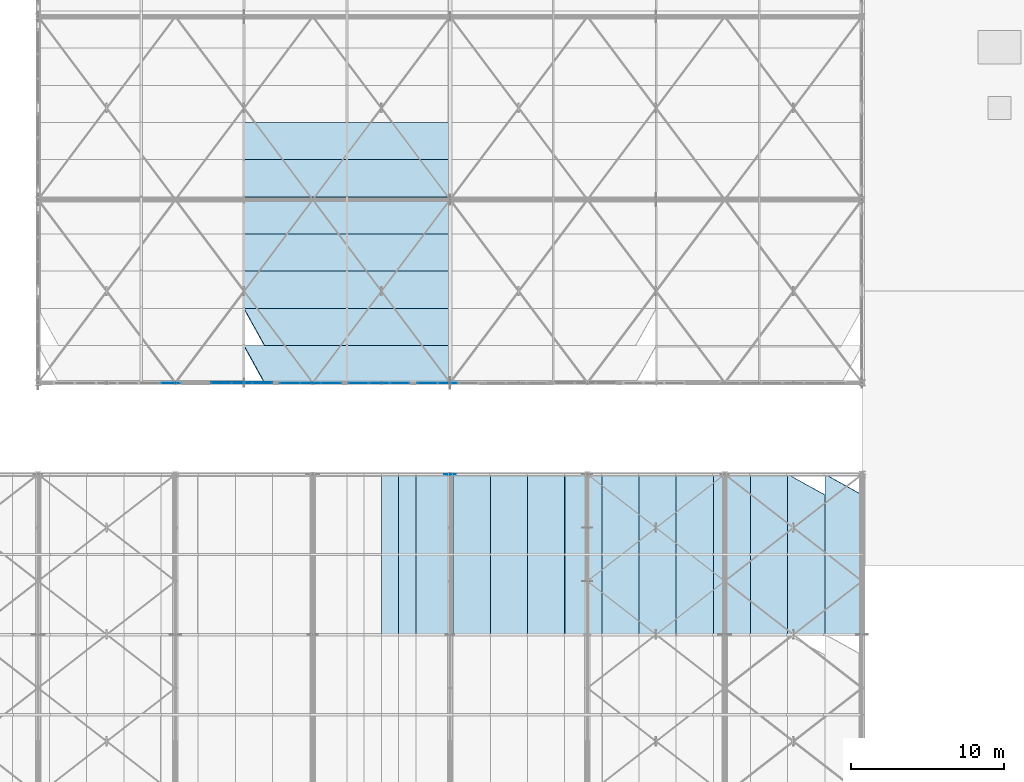
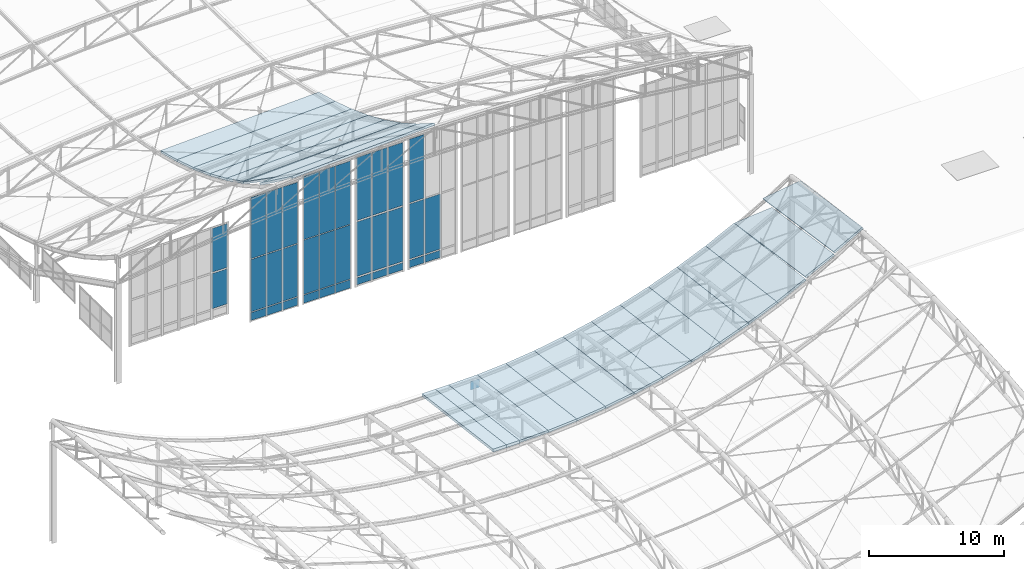
# One storey, part 220 of 262: 35 plates, 21 slabs, 5 elements without a shape of their own.
"""IFC4 building model written with IfcOpenShell, lengths in metres."""

from ifc_helpers import new_model, si_unit, derived_unit, direction, frame, origin, origin_2d, place, context, subcontext, project, spatial, polyline, rectangle, outline, extrude, material, layer, layer_set, type_object, element, aggregate, save


model = new_model("IFC4")

# Units and contexts
model_context = context("Model", 3, precision=1e-05, world=origin(), true_north=direction((0.0, 1.0)))
body_context = subcontext(model_context, "Body", "Model", "MODEL_VIEW")
ifc_project = project(units=[si_unit("LENGTHUNIT", "METRE"), si_unit("AREAUNIT", "SQUARE_METRE"), si_unit("VOLUMEUNIT", "CUBIC_METRE"), si_unit("PLANEANGLEUNIT", "RADIAN"), si_unit("MASSUNIT", "GRAM", prefix="KILO"), derived_unit("THERMALTRANSMITTANCEUNIT", [(si_unit("POWERUNIT", "WATT"), 1), (si_unit("LENGTHUNIT", "METRE"), -2), (si_unit("THERMODYNAMICTEMPERATUREUNIT", "KELVIN"), -1)])], contexts=[model_context])

# Site, building, storey
site_placement = place(None, origin())
site = spatial("IfcSite", under=ifc_project, at=site_placement, CompositionType="ELEMENT")
building_placement = place(site_placement, origin())
building = spatial("IfcBuilding", under=site, at=building_placement, Name="Almenara Railside Exhibition Hall", CompositionType="ELEMENT")
storey_placement = place(building_placement, frame((0.0, 0.0, 21.699951171875)))
storey = spatial("IfcBuildingStorey", under=building, at=storey_placement, Name="RF", CompositionType="ELEMENT", Elevation=21.699951171875)

# Curtain wall, plates
ifc_material_1 = material(Name="Bronze-anodised aluminium and low-E double glazing", Category="aluminium")
ifc_layer_1 = layer(ifc_material_1, 0.179931640625, Name="Bronze-anodised aluminium and low-E double glazing")
ifc_layer_set_1 = layer_set([ifc_layer_1], Name="Bronze-anodised aluminium and low-E double glazing")
curtain_wall_type = type_object("IfcCurtainWallType", Name="Scroll Gable Tall Curtain Wall 3800x5400", PredefinedType="NOTDEFINED", material=ifc_layer_set_1)
curtain_wall_1_placement = place(storey_placement, origin())
curtain_wall_1 = element("IfcCurtainWall", 1, at=curtain_wall_1_placement, inside=storey, type_object=curtain_wall_type, Name="Curtain wall CW-G1-200", PredefinedType="NOTDEFINED")
ifc_material_2 = material(Name="Solar-control acoustic laminated glazing", Category="glass")
ifc_layer_2 = layer(ifc_material_2, 0.031982421875, Name="Solar-control acoustic laminated glazing")
ifc_layer_set_2 = layer_set([ifc_layer_2], Name="Solar-control acoustic laminated glazing")
plate_type_1 = type_object("IfcPlateType", Name="Acoustic Low-E Double Glazing Panel 32mm", PredefinedType="CURTAIN_PANEL", material=ifc_layer_set_2)
plate_1_placement = place(storey_placement, frame((33.000732421875, 48.0, -0.756103515625), z_axis=(0.0, 0.0, 1.0), x_axis=(1.0, 0.0, 0.0)))
plate_1 = element("IfcPlate", 2, at=plate_1_placement, type_object=plate_type_1, Name="CW-G1-200 panel 1.1", PredefinedType="CURTAIN_PANEL", context=body_context, shape_type="SweptSolid", body=[
    extrude(rectangle(XDim=1.277587890625, YDim=0.031982421875, at=origin_2d()), origin(), (0.0, 0.0, 1.0), 0.64208984375),
])
plate_2_placement = place(storey_placement, frame((33.000732421875, 48.0, 0.013916015625), z_axis=(0.0, 0.0, 1.0), x_axis=(1.0, 0.0, 0.0)))
plate_2 = element("IfcPlate", 3, at=plate_2_placement, type_object=plate_type_1, Name="CW-G1-200 panel 1.2", PredefinedType="CURTAIN_PANEL", context=body_context, shape_type="SweptSolid", body=[
    extrude(rectangle(XDim=1.277587890625, YDim=0.031982421875, at=origin_2d()), origin(), (0.0, 0.0, 1.0), 4.912109375),
])
plate_3_placement = place(storey_placement, frame((33.000732421875, 48.0, 5.05419921875), z_axis=(0.0, 0.0, 1.0), x_axis=(1.0, 0.0, 0.0)))
plate_3 = element("IfcPlate", 4, at=plate_3_placement, type_object=plate_type_1, Name="CW-G1-200 panel 1.3", PredefinedType="CURTAIN_PANEL", context=body_context, shape_type="SweptSolid", body=[
    extrude(rectangle(XDim=1.277587890625, YDim=0.031982421875, at=origin_2d()), origin(), (0.0, 0.0, 1.0), 5.681884765625),
])
plate_4_placement = place(storey_placement, frame((34.35009765625, 48.0, -0.756103515625), z_axis=(0.0, 0.0, 1.0), x_axis=(1.0, 0.0, 0.0)))
plate_4 = element("IfcPlate", 5, at=plate_4_placement, type_object=plate_type_1, Name="CW-G1-200 panel 2.1", PredefinedType="CURTAIN_PANEL", context=body_context, shape_type="SweptSolid", body=[
    extrude(rectangle(XDim=1.312744140625, YDim=0.031982421875, at=origin_2d()), origin(), (0.0, 0.0, 1.0), 0.64208984375),
])
plate_5_placement = place(storey_placement, frame((34.35009765625, 48.0, 0.013916015625), z_axis=(0.0, 0.0, 1.0), x_axis=(1.0, 0.0, 0.0)))
plate_5 = element("IfcPlate", 6, at=plate_5_placement, type_object=plate_type_1, Name="CW-G1-200 panel 2.2", PredefinedType="CURTAIN_PANEL", context=body_context, shape_type="SweptSolid", body=[
    extrude(rectangle(XDim=1.312744140625, YDim=0.031982421875, at=origin_2d()), origin(), (0.0, 0.0, 1.0), 4.912109375),
])
plate_6_placement = place(storey_placement, frame((34.35009765625, 48.0, 5.05419921875), z_axis=(0.0, 0.0, 1.0), x_axis=(1.0, 0.0, 0.0)))
plate_6 = element("IfcPlate", 7, at=plate_6_placement, type_object=plate_type_1, Name="CW-G1-200 panel 2.3", PredefinedType="CURTAIN_PANEL", context=body_context, shape_type="SweptSolid", body=[
    extrude(rectangle(XDim=1.312744140625, YDim=0.031982421875, at=origin_2d()), origin(), (0.0, 0.0, 1.0), 5.681884765625),
])
plate_7_placement = place(storey_placement, frame((35.69921875, 48.0, -0.756103515625), z_axis=(0.0, 0.0, 1.0), x_axis=(1.0, 0.0, 0.0)))
plate_7 = element("IfcPlate", 8, at=plate_7_placement, type_object=plate_type_1, Name="CW-G1-200 panel 3.1", PredefinedType="CURTAIN_PANEL", context=body_context, shape_type="SweptSolid", body=[
    extrude(rectangle(XDim=1.277587890625, YDim=0.031982421875, at=origin_2d()), origin(), (0.0, 0.0, 1.0), 0.64208984375),
])
plate_8_placement = place(storey_placement, frame((35.69921875, 48.0, 0.013916015625), z_axis=(0.0, 0.0, 1.0), x_axis=(1.0, 0.0, 0.0)))
plate_8 = element("IfcPlate", 9, at=plate_8_placement, type_object=plate_type_1, Name="CW-G1-200 panel 3.2", PredefinedType="CURTAIN_PANEL", context=body_context, shape_type="SweptSolid", body=[
    extrude(rectangle(XDim=1.277587890625, YDim=0.031982421875, at=origin_2d()), origin(), (0.0, 0.0, 1.0), 4.912109375),
])
plate_9_placement = place(storey_placement, frame((35.69921875, 48.0, 5.05419921875), z_axis=(0.0, 0.0, 1.0), x_axis=(1.0, 0.0, 0.0)))
plate_9 = element("IfcPlate", 10, at=plate_9_placement, type_object=plate_type_1, Name="CW-G1-200 panel 3.3", PredefinedType="CURTAIN_PANEL", context=body_context, shape_type="SweptSolid", body=[
    extrude(rectangle(XDim=1.277587890625, YDim=0.031982421875, at=origin_2d()), origin(), (0.0, 0.0, 1.0), 5.681884765625),
])
aggregate(curtain_wall_1, [plate_1, plate_2, plate_3, plate_4, plate_5, plate_6, plate_7, plate_8, plate_9])

# Slabs
ifc_material_3 = material(Name="Planted green roof insulated steel S355JR deck", Category="steel")
ifc_layer_3 = layer(ifc_material_3, 0.2451171875, Name="Planted green roof insulated steel S355JR deck")
ifc_layer_set_3 = layer_set([ifc_layer_3], Name="Planted green roof insulated steel S355JR deck")
slab_type_1 = type_object("IfcSlabType", Name="Flat Planted Hall Roof Deck 245mm S355JR", PredefinedType="ROOF", material=ifc_layer_set_3)
slab_1_placement = place(storey_placement, frame((34.5, 42.0, -7.659912109375), z_axis=(0.0, 0.127508130523, 0.991837525329), x_axis=(1.0, 0.0, 0.0)))
element("IfcSlab", 11, at=slab_1_placement, inside=storey, type_object=slab_type_1, Name="V4 roof cassette RC-V4-15D", PredefinedType="ROOF", context=body_context, shape_type="SweptSolid", body=[
    extrude(outline(polyline([(0.0, 0.0), (1.1298828125, 0.0), (1.1298828125, -10.586411314210551), (0.0, -10.586411314210551), (0.0, 0.0)])), origin(), (0.0, 0.0, -1.0), 0.2451171875),
])
slab_2_placement = place(storey_placement, frame((35.6298828125, 42.0, -7.659912109375), z_axis=(0.0, 0.127508130523, 0.991837525329), x_axis=(1.0, 0.0, 0.0)))
element("IfcSlab", 12, at=slab_2_placement, inside=storey, type_object=slab_type_1, Name="V4 roof cassette RC-V4-16D", PredefinedType="ROOF", context=body_context, shape_type="SweptSolid", body=[
    extrude(outline(polyline([(0.0, 0.0), (1.129638671875, 0.0), (1.129638671875, -10.586411314210551), (0.0, -10.586411314210551), (0.0, 0.0)])), origin(), (0.0, 0.0, -1.0), 0.2451171875),
])

# Curtain wall, plates
curtain_wall_2_placement = place(storey_placement, origin())
curtain_wall_2 = element("IfcCurtainWall", 13, at=curtain_wall_2_placement, inside=storey, type_object=curtain_wall_type, Name="Curtain wall CW-G1-198", PredefinedType="NOTDEFINED")
ifc_material_4 = material(Name="Bronze-anodised insulated aluminium spandrel", Category="aluminium")
ifc_layer_4 = layer(ifc_material_4, 0.0400390625, Name="Bronze-anodised insulated aluminium spandrel")
ifc_layer_set_4 = layer_set([ifc_layer_4], Name="Bronze-anodised insulated aluminium spandrel")
plate_type_2 = type_object("IfcPlateType", Name="Insulated Bronze Spandrel Panel 40mm", PredefinedType="CURTAIN_PANEL", material=ifc_layer_set_4)
plate_10_placement = place(storey_placement, frame((23.998291015625, 48.0, -0.80615234375), z_axis=(0.0, 0.0, 1.0), x_axis=(1.0, 0.0, 0.0)))
plate_10 = element("IfcPlate", 14, at=plate_10_placement, type_object=plate_type_2, Name="CW-G1-198 panel 1.1", PredefinedType="CURTAIN_PANEL", context=body_context, shape_type="SweptSolid", body=[
    extrude(rectangle(XDim=1.292724609375, YDim=0.0400390625, at=origin_2d()), origin(), (0.0, 0.0, 1.0), 0.717041015625),
])
plate_11_placement = place(storey_placement, frame((23.998291015625, 48.0, -0.0107421875), z_axis=(0.0, 0.0, 1.0), x_axis=(1.0, 0.0, 0.0)))
plate_11 = element("IfcPlate", 15, at=plate_11_placement, type_object=plate_type_2, Name="CW-G1-198 panel 1.2", PredefinedType="CURTAIN_PANEL", context=body_context, shape_type="SweptSolid", body=[
    extrude(rectangle(XDim=1.292724609375, YDim=0.0400390625, at=origin_2d()), origin(), (0.0, 0.0, 1.0), 4.717041015625),
])
plate_12_placement = place(storey_placement, frame((23.998291015625, 48.0, 4.7841796875), z_axis=(0.0, 0.0, 1.0), x_axis=(1.0, 0.0, 0.0)))
plate_12 = element("IfcPlate", 16, at=plate_12_placement, type_object=plate_type_2, Name="CW-G1-198 panel 1.3", PredefinedType="CURTAIN_PANEL", context=body_context, shape_type="SweptSolid", body=[
    extrude(rectangle(XDim=1.292724609375, YDim=0.0400390625, at=origin_2d()), origin(), (0.0, 0.0, 1.0), 5.511962890625),
])
plate_13_placement = place(storey_placement, frame((25.35009765625, 48.0, -0.80615234375), z_axis=(0.0, 0.0, 1.0), x_axis=(1.0, 0.0, 0.0)))
plate_13 = element("IfcPlate", 17, at=plate_13_placement, type_object=plate_type_2, Name="CW-G1-198 panel 2.1", PredefinedType="CURTAIN_PANEL", context=body_context, shape_type="SweptSolid", body=[
    extrude(rectangle(XDim=1.32275390625, YDim=0.0400390625, at=origin_2d()), origin(), (0.0, 0.0, 1.0), 0.717041015625),
])
plate_14_placement = place(storey_placement, frame((25.35009765625, 48.0, -0.0107421875), z_axis=(0.0, 0.0, 1.0), x_axis=(1.0, 0.0, 0.0)))
plate_14 = element("IfcPlate", 18, at=plate_14_placement, type_object=plate_type_2, Name="CW-G1-198 panel 2.2", PredefinedType="CURTAIN_PANEL", context=body_context, shape_type="SweptSolid", body=[
    extrude(rectangle(XDim=1.32275390625, YDim=0.0400390625, at=origin_2d()), origin(), (0.0, 0.0, 1.0), 4.717041015625),
])
plate_15_placement = place(storey_placement, frame((25.35009765625, 48.0, 4.7841796875), z_axis=(0.0, 0.0, 1.0), x_axis=(1.0, 0.0, 0.0)))
plate_15 = element("IfcPlate", 19, at=plate_15_placement, type_object=plate_type_2, Name="CW-G1-198 panel 2.3", PredefinedType="CURTAIN_PANEL", context=body_context, shape_type="SweptSolid", body=[
    extrude(rectangle(XDim=1.32275390625, YDim=0.0400390625, at=origin_2d()), origin(), (0.0, 0.0, 1.0), 5.511962890625),
])
plate_16_placement = place(storey_placement, frame((26.70166015625, 48.0, -0.80615234375), z_axis=(0.0, 0.0, 1.0), x_axis=(1.0, 0.0, 0.0)))
plate_16 = element("IfcPlate", 20, at=plate_16_placement, type_object=plate_type_2, Name="CW-G1-198 panel 3.1", PredefinedType="CURTAIN_PANEL", context=body_context, shape_type="SweptSolid", body=[
    extrude(rectangle(XDim=1.292724609375, YDim=0.0400390625, at=origin_2d()), origin(), (0.0, 0.0, 1.0), 0.717041015625),
])
plate_17_placement = place(storey_placement, frame((26.70166015625, 48.0, -0.0107421875), z_axis=(0.0, 0.0, 1.0), x_axis=(1.0, 0.0, 0.0)))
plate_17 = element("IfcPlate", 21, at=plate_17_placement, type_object=plate_type_2, Name="CW-G1-198 panel 3.2", PredefinedType="CURTAIN_PANEL", context=body_context, shape_type="SweptSolid", body=[
    extrude(rectangle(XDim=1.292724609375, YDim=0.0400390625, at=origin_2d()), origin(), (0.0, 0.0, 1.0), 4.717041015625),
])
plate_18_placement = place(storey_placement, frame((26.70166015625, 48.0, 4.7841796875), z_axis=(0.0, 0.0, 1.0), x_axis=(1.0, 0.0, 0.0)))
plate_18 = element("IfcPlate", 22, at=plate_18_placement, type_object=plate_type_2, Name="CW-G1-198 panel 3.3", PredefinedType="CURTAIN_PANEL", context=body_context, shape_type="SweptSolid", body=[
    extrude(rectangle(XDim=1.292724609375, YDim=0.0400390625, at=origin_2d()), origin(), (0.0, 0.0, 1.0), 5.511962890625),
])
aggregate(curtain_wall_2, [plate_10, plate_11, plate_12, plate_13, plate_14, plate_15, plate_16, plate_17, plate_18])

curtain_wall_3_placement = place(storey_placement, origin())
curtain_wall_3 = element("IfcCurtainWall", 23, at=curtain_wall_3_placement, inside=storey, type_object=curtain_wall_type, Name="Curtain wall CW-G1-199", PredefinedType="NOTDEFINED")
ifc_layer_5 = layer(ifc_material_4, 0.034912109375, Name="Bronze-anodised insulated aluminium spandrel")
ifc_layer_set_5 = layer_set([ifc_layer_5], Name="Bronze-anodised insulated aluminium spandrel")
plate_type_3 = type_object("IfcPlateType", Name="Insulated Stucco-Tone Spandrel Panel 35mm", PredefinedType="CURTAIN_PANEL", material=ifc_layer_set_5)
plate_19_placement = place(storey_placement, frame((28.4970703125, 48.0, -0.825927734375), z_axis=(0.0, 0.0, 1.0), x_axis=(1.0, 0.0, 0.0)))
plate_19 = element("IfcPlate", 24, at=plate_19_placement, type_object=plate_type_3, Name="CW-G1-199 panel 1.1", PredefinedType="CURTAIN_PANEL", context=body_context, shape_type="SweptSolid", body=[
    extrude(rectangle(XDim=1.300048828125, YDim=0.034912109375, at=origin_2d()), origin(), (0.0, 0.0, 1.0), 0.7470703125),
])
plate_20_placement = place(storey_placement, frame((28.4970703125, 48.0, -0.02099609375), z_axis=(0.0, 0.0, 1.0), x_axis=(1.0, 0.0, 0.0)))
plate_20 = element("IfcPlate", 25, at=plate_20_placement, type_object=plate_type_3, Name="CW-G1-199 panel 1.2", PredefinedType="CURTAIN_PANEL", context=body_context, shape_type="SweptSolid", body=[
    extrude(rectangle(XDim=1.300048828125, YDim=0.034912109375, at=origin_2d()), origin(), (0.0, 0.0, 1.0), 4.89208984375),
])
plate_21_placement = place(storey_placement, frame((28.4970703125, 48.0, 4.92919921875), z_axis=(0.0, 0.0, 1.0), x_axis=(1.0, 0.0, 0.0)))
plate_21 = element("IfcPlate", 26, at=plate_21_placement, type_object=plate_type_3, Name="CW-G1-199 panel 1.3", PredefinedType="CURTAIN_PANEL", context=body_context, shape_type="SweptSolid", body=[
    extrude(rectangle(XDim=1.300048828125, YDim=0.034912109375, at=origin_2d()), origin(), (0.0, 0.0, 1.0), 5.697021484375),
])
plate_22_placement = place(storey_placement, frame((29.85009765625, 48.0, -0.825927734375), z_axis=(0.0, 0.0, 1.0), x_axis=(1.0, 0.0, 0.0)))
plate_22 = element("IfcPlate", 27, at=plate_22_placement, type_object=plate_type_3, Name="CW-G1-199 panel 2.1", PredefinedType="CURTAIN_PANEL", context=body_context, shape_type="SweptSolid", body=[
    extrude(rectangle(XDim=1.32763671875, YDim=0.034912109375, at=origin_2d()), origin(), (0.0, 0.0, 1.0), 0.7470703125),
])
plate_23_placement = place(storey_placement, frame((29.85009765625, 48.0, -0.02099609375), z_axis=(0.0, 0.0, 1.0), x_axis=(1.0, 0.0, 0.0)))
plate_23 = element("IfcPlate", 28, at=plate_23_placement, type_object=plate_type_3, Name="CW-G1-199 panel 2.2", PredefinedType="CURTAIN_PANEL", context=body_context, shape_type="SweptSolid", body=[
    extrude(rectangle(XDim=1.32763671875, YDim=0.034912109375, at=origin_2d()), origin(), (0.0, 0.0, 1.0), 4.89208984375),
])
plate_24_placement = place(storey_placement, frame((29.85009765625, 48.0, 4.92919921875), z_axis=(0.0, 0.0, 1.0), x_axis=(1.0, 0.0, 0.0)))
plate_24 = element("IfcPlate", 29, at=plate_24_placement, type_object=plate_type_3, Name="CW-G1-199 panel 2.3", PredefinedType="CURTAIN_PANEL", context=body_context, shape_type="SweptSolid", body=[
    extrude(rectangle(XDim=1.32763671875, YDim=0.034912109375, at=origin_2d()), origin(), (0.0, 0.0, 1.0), 5.697021484375),
])
plate_25_placement = place(storey_placement, frame((31.202880859375, 48.0, -0.825927734375), z_axis=(0.0, 0.0, 1.0), x_axis=(1.0, 0.0, 0.0)))
plate_25 = element("IfcPlate", 30, at=plate_25_placement, type_object=plate_type_3, Name="CW-G1-199 panel 3.1", PredefinedType="CURTAIN_PANEL", context=body_context, shape_type="SweptSolid", body=[
    extrude(rectangle(XDim=1.300048828125, YDim=0.034912109375, at=origin_2d()), origin(), (0.0, 0.0, 1.0), 0.7470703125),
])
plate_26_placement = place(storey_placement, frame((31.202880859375, 48.0, -0.02099609375), z_axis=(0.0, 0.0, 1.0), x_axis=(1.0, 0.0, 0.0)))
plate_26 = element("IfcPlate", 31, at=plate_26_placement, type_object=plate_type_3, Name="CW-G1-199 panel 3.2", PredefinedType="CURTAIN_PANEL", context=body_context, shape_type="SweptSolid", body=[
    extrude(rectangle(XDim=1.300048828125, YDim=0.034912109375, at=origin_2d()), origin(), (0.0, 0.0, 1.0), 4.89208984375),
])
plate_27_placement = place(storey_placement, frame((31.202880859375, 48.0, 4.92919921875), z_axis=(0.0, 0.0, 1.0), x_axis=(1.0, 0.0, 0.0)))
plate_27 = element("IfcPlate", 32, at=plate_27_placement, type_object=plate_type_3, Name="CW-G1-199 panel 3.3", PredefinedType="CURTAIN_PANEL", context=body_context, shape_type="SweptSolid", body=[
    extrude(rectangle(XDim=1.300048828125, YDim=0.034912109375, at=origin_2d()), origin(), (0.0, 0.0, 1.0), 5.697021484375),
])
aggregate(curtain_wall_3, [plate_19, plate_20, plate_21, plate_22, plate_23, plate_24, plate_25, plate_26, plate_27])

curtain_wall_4_placement = place(storey_placement, origin())
curtain_wall_4 = element("IfcCurtainWall", 33, at=curtain_wall_4_placement, inside=storey, type_object=curtain_wall_type, Name="Curtain wall CW-G1-196", PredefinedType="NOTDEFINED")
ifc_material_5 = material(Name="Solar-control low-E laminated double glazing", Category="glass")
ifc_layer_6 = layer(ifc_material_5, 0.028076171875, Name="Solar-control low-E laminated double glazing")
ifc_layer_set_6 = layer_set([ifc_layer_6], Name="Solar-control low-E laminated double glazing")
plate_type_4 = type_object("IfcPlateType", Name="Low-E Solar Control Double Glazing Panel 28mm", PredefinedType="CURTAIN_PANEL", material=ifc_layer_set_6)
plate_28_placement = place(storey_placement, frame((20.6826171875, 48.0, 1.4140625), z_axis=(0.0, 0.0, 1.0), x_axis=(1.0, 0.0, 0.0)))
plate_28 = element("IfcPlate", 34, at=plate_28_placement, type_object=plate_type_4, Name="CW-G1-196 panel 6.2", PredefinedType="CURTAIN_PANEL", context=body_context, shape_type="SweptSolid", body=[
    extrude(rectangle(XDim=1.31103515625, YDim=0.028076171875, at=origin_2d()), origin(), (0.0, 0.0, 1.0), 3.172119140625),
])
plate_29_placement = place(storey_placement, frame((20.6826171875, 48.0, 4.714111328125), z_axis=(0.0, 0.0, 1.0), x_axis=(1.0, 0.0, 0.0)))
plate_29 = element("IfcPlate", 35, at=plate_29_placement, type_object=plate_type_4, Name="CW-G1-196 panel 6.3", PredefinedType="CURTAIN_PANEL", context=body_context, shape_type="SweptSolid", body=[
    extrude(rectangle(XDim=1.31103515625, YDim=0.028076171875, at=origin_2d()), origin(), (0.0, 0.0, 1.0), 3.94189453125),
])
aggregate(curtain_wall_4, [plate_28, plate_29])

curtain_wall_5_placement = place(storey_placement, origin())
curtain_wall_5 = element("IfcCurtainWall", 36, at=curtain_wall_5_placement, inside=storey, type_object=curtain_wall_type, Name="Curtain wall CW-G1-201", PredefinedType="NOTDEFINED")
plate_30_placement = place(storey_placement, frame((37.49951171875, 48.0, -0.77587890625), z_axis=(0.0, 0.0, 1.0), x_axis=(1.0, 0.0, 0.0)))
plate_30 = element("IfcPlate", 37, at=plate_30_placement, type_object=plate_type_4, Name="CW-G1-201 panel 1.1", PredefinedType="CURTAIN_PANEL", context=body_context, shape_type="SweptSolid", body=[
    extrude(rectangle(XDim=1.28515625, YDim=0.028076171875, at=origin_2d()), origin(), (0.0, 0.0, 1.0), 0.672119140625),
])
plate_31_placement = place(storey_placement, frame((37.49951171875, 48.0, 0.00390625), z_axis=(0.0, 0.0, 1.0), x_axis=(1.0, 0.0, 0.0)))
plate_31 = element("IfcPlate", 38, at=plate_31_placement, type_object=plate_type_4, Name="CW-G1-201 panel 1.2", PredefinedType="CURTAIN_PANEL", context=body_context, shape_type="SweptSolid", body=[
    extrude(rectangle(XDim=1.28515625, YDim=0.028076171875, at=origin_2d()), origin(), (0.0, 0.0, 1.0), 4.967041015625),
])
plate_32_placement = place(storey_placement, frame((37.49951171875, 48.0, 5.0791015625), z_axis=(0.0, 0.0, 1.0), x_axis=(1.0, 0.0, 0.0)))
plate_32 = element("IfcPlate", 39, at=plate_32_placement, type_object=plate_type_4, Name="CW-G1-201 panel 1.3", PredefinedType="CURTAIN_PANEL", context=body_context, shape_type="SweptSolid", body=[
    extrude(rectangle(XDim=1.28515625, YDim=0.028076171875, at=origin_2d()), origin(), (0.0, 0.0, 1.0), 5.7470703125),
])
plate_33_placement = place(storey_placement, frame((38.85009765625, 48.0, -0.77587890625), z_axis=(0.0, 0.0, 1.0), x_axis=(1.0, 0.0, 0.0)))
plate_33 = element("IfcPlate", 40, at=plate_33_placement, type_object=plate_type_4, Name="CW-G1-201 panel 2.1", PredefinedType="CURTAIN_PANEL", context=body_context, shape_type="SweptSolid", body=[
    extrude(rectangle(XDim=1.317626953125, YDim=0.028076171875, at=origin_2d()), origin(), (0.0, 0.0, 1.0), 0.672119140625),
])
plate_34_placement = place(storey_placement, frame((38.85009765625, 48.0, 0.00390625), z_axis=(0.0, 0.0, 1.0), x_axis=(1.0, 0.0, 0.0)))
plate_34 = element("IfcPlate", 41, at=plate_34_placement, type_object=plate_type_4, Name="CW-G1-201 panel 2.2", PredefinedType="CURTAIN_PANEL", context=body_context, shape_type="SweptSolid", body=[
    extrude(rectangle(XDim=1.317626953125, YDim=0.028076171875, at=origin_2d()), origin(), (0.0, 0.0, 1.0), 4.967041015625),
])
aggregate(curtain_wall_5, [plate_30, plate_31, plate_32, plate_33, plate_34])

# Slabs
ifc_material_6 = material(Name="White standing-seam insulated steel S355JR roof deck", Category="steel")
ifc_layer_7 = layer(ifc_material_6, 0.195068359375, Name="White standing-seam insulated steel S355JR roof deck")
ifc_layer_set_7 = layer_set([ifc_layer_7], Name="White standing-seam insulated steel S355JR roof deck")
slab_type_2 = type_object("IfcSlabType", Name="Scroll Standing-Seam Insulated Roof Cassette 195mm S355JR", PredefinedType="ROOF", material=ifc_layer_set_7)
slab_3_placement = place(storey_placement, frame((25.5, 52.873291015625, 8.052490234375), z_axis=(-0.036457270547, 0.445014736902, 0.894780839851), x_axis=(0.99917098071, 0.0, 0.04071057978)))
element("IfcSlab", 42, at=slab_3_placement, inside=storey, type_object=slab_type_2, Name="V1 roof cassette RC-V1-03B", PredefinedType="ROOF", context=body_context, shape_type="SweptSolid", body=[
    extrude(outline(polyline([(0.0, 0.0), (13.511201046291989, -2.7755575615628914e-17), (13.461863322163513, 2.7210545223615514), (-0.049337724128476194, 2.721054522361552), (0.0, 0.0)])), origin(), (0.0, 0.0, -1.0), 0.195068359375),
])
slab_4_placement = place(storey_placement, frame((25.5, 55.31005859375, 6.840576171875), z_axis=(-0.037345607849, 0.398095348831, 0.9165835471), x_axis=(0.99917098071, 0.0, 0.04071057978)))
element("IfcSlab", 43, at=slab_4_placement, inside=storey, type_object=slab_type_2, Name="V1 roof cassette RC-V1-04B", PredefinedType="ROOF", context=body_context, shape_type="SweptSolid", body=[
    extrude(outline(polyline([(0.0, 0.0), (13.511201046291989, -5.551115123125783e-17), (13.468115020083902, 2.6563289931427896), (-0.04308602620808709, 2.6563289931427896), (0.0, 0.0)])), origin(), (0.0, 0.0, -1.0), 0.195068359375),
])
slab_5_placement = place(storey_placement, frame((25.5, 57.746826171875, 5.7822265625), z_axis=(-0.038115969666, 0.351289382745, 0.935490749514), x_axis=(0.99917098071, 0.0, 0.04071057978)))
element("IfcSlab", 44, at=slab_5_placement, inside=storey, type_object=slab_type_2, Name="V1 roof cassette RC-V1-05B", PredefinedType="ROOF", context=body_context, shape_type="SweptSolid", body=[
    extrude(outline(polyline([(0.0, 0.0), (13.511201046291989, 0.0), (13.473949275535839, 2.6026419310534417), (-0.037251770756150035, 2.602641931053442), (0.0, 0.0)])), origin(), (0.0, 0.0, -1.0), 0.195068359375),
])
slab_6_placement = place(storey_placement, frame((25.5, 60.18359375, 4.8671875), z_axis=(-0.038777399799, 0.304494593807, 0.951724411585), x_axis=(0.99917098071, 0.0, 0.04071057978)))
element("IfcSlab", 45, at=slab_6_placement, inside=storey, type_object=slab_type_2, Name="V1 roof cassette RC-V1-06B", PredefinedType="ROOF", context=body_context, shape_type="SweptSolid", body=[
    extrude(outline(polyline([(0.0, 0.0), (13.511201046291989, 0.0), (13.47946547958324, 2.5579920856668314), (-0.03173556670874788, 2.557992085666832), (0.0, 0.0)])), origin(), (0.0, 0.0, -1.0), 0.195068359375),
])
slab_7_placement = place(storey_placement, frame((25.5, 62.6201171875, 4.087646484375), z_axis=(-0.03933677698, 0.257589650078, 0.965453359904), x_axis=(0.99917098071, 0.0, 0.04071057978)))
element("IfcSlab", 46, at=slab_7_placement, inside=storey, type_object=slab_type_2, Name="V1 roof cassette RC-V1-07B", PredefinedType="ROOF", context=body_context, shape_type="SweptSolid", body=[
    extrude(outline(polyline([(0.0, 0.0), (13.511201046291989, 0.0), (13.48473320597085, 2.521869571245723), (-0.026467840321138622, 2.521869571245723), (0.0, 0.0)])), origin(), (0.0, 0.0, -1.0), 0.195068359375),
])
slab_8_placement = place(storey_placement, frame((36.759521484375, 42.0, -7.659912109375), z_axis=(-0.023246895064, 0.127473672014, 0.99156948562), x_axis=(0.999725289903, 0.0, 0.023438104182)))
element("IfcSlab", 47, at=slab_8_placement, inside=storey, type_object=slab_type_2, Name="V4 roof cassette RC-V4-17D", PredefinedType="ROOF", context=body_context, shape_type="SweptSolid", body=[
    extrude(outline(polyline([(0.0, 0.0), (2.437437166724611, 8.673617379884035e-19), (2.469075174053842, -10.586364038239825), (0.03163800732923111, -10.586364038239825), (0.0, 0.0)])), origin(), (0.0, 0.0, -1.0), 0.195068359375),
])
slab_9_placement = place(storey_placement, frame((39.1962890625, 42.0, -7.602783203125), z_axis=(-0.069738288759, 0.127209004981, 0.989421265252), x_axis=(0.997525282413, 6.289563e-06, 0.070308683008)))
element("IfcSlab", 48, at=slab_9_placement, inside=storey, type_object=slab_type_2, Name="V4 roof cassette RC-V4-18D", PredefinedType="ROOF", context=body_context, shape_type="SweptSolid", body=[
    extrude(outline(polyline([(0.0, 0.0), (2.4428044062313754, -3.469446951953614e-18), (2.537661953965785, -10.586017462316129), (0.09484038252859697, -10.585986482180083), (0.0, 0.0)])), origin(), (0.0, 0.0, -1.0), 0.195068359375),
])
slab_10_placement = place(storey_placement, frame((41.633056640625, 42.0, -7.43115234375), z_axis=(-0.116278124233, 0.1266657364, 0.98510668917), x_axis=(0.993105700961, 0.0, 0.117222296166)))
element("IfcSlab", 49, at=slab_10_placement, inside=storey, type_object=slab_type_2, Name="V4 roof cassette RC-V4-19D", PredefinedType="ROOF", context=body_context, shape_type="SweptSolid", body=[
    extrude(outline(polyline([(0.0, 0.0), (2.4534381739443343, 0.0), (2.6116997212577036, -10.58525941883588), (0.1582615473133695, -10.58525941883588), (0.0, 0.0)])), origin(), (0.0, 0.0, -1.0), 0.195068359375),
])
slab_11_placement = place(storey_placement, frame((44.069580078125, 42.0, -7.1435546875), z_axis=(-0.162710915103, 0.125820121956, 0.978618646367), x_axis=(0.986457830513, -6.084636e-06, 0.164015086448)))
element("IfcSlab", 50, at=slab_11_placement, inside=storey, type_object=slab_type_2, Name="V4 roof cassette RC-V4-20D", PredefinedType="ROOF", context=body_context, shape_type="SweptSolid", body=[
    extrude(outline(polyline([(0.0, 0.0), (2.4702394164682673, 6.938893903907228e-18), (2.6916996462024776, -10.584094664449125), (0.22150027247992476, -10.584124966024934), (0.0, 0.0)])), origin(), (0.0, 0.0, -1.0), 0.195068359375),
])
slab_12_placement = place(storey_placement, frame((46.50634765625, 42.0, -6.73828125), z_axis=(-0.209307302396, 0.124683814392, 0.969868238263), x_axis=(0.977496103583, 0.0, 0.210953472309)))
element("IfcSlab", 51, at=slab_12_placement, inside=storey, type_object=slab_type_2, Name="V4 roof cassette RC-V4-21D", PredefinedType="ROOF", context=body_context, shape_type="SweptSolid", body=[
    extrude(outline(polyline([(0.0, 0.0), (2.492866794243101, 0.0), (2.7776230804730373, -10.58258089367134), (0.2847562862299364, -10.58258089367134), (0.0, 0.0)])), origin(), (0.0, 0.0, -1.0), 0.195068359375),
])
slab_13_placement = place(storey_placement, frame((48.943115234375, 42.0, -6.21240234375), z_axis=(-0.255823218428, 0.12326511647, 0.958832723667), x_axis=(0.966201190487, 0.0, 0.257789176462)))
element("IfcSlab", 52, at=slab_13_placement, inside=storey, type_object=slab_type_2, Name="V4 roof cassette RC-V4-22D", PredefinedType="ROOF", context=body_context, shape_type="SweptSolid", body=[
    extrude(outline(polyline([(0.0, 0.0), (2.522008461711885, 1.3877787807814457e-17), (2.869986087849242, -10.580690718726874), (0.3479776261373565, -10.580690718726874), (0.0, 0.0)])), origin(), (0.0, 0.0, -1.0), 0.195068359375),
])
slab_14_placement = place(storey_placement, frame((51.3798828125, 42.0, -5.562255859375), z_axis=(-0.30242144949, 0.121548286633, 0.945392659642), x_axis=(0.952454820151, 5.483415e-06, 0.30467985746)))
element("IfcSlab", 53, at=slab_14_placement, inside=storey, type_object=slab_type_2, Name="V4 roof cassette RC-V4-23D", PredefinedType="ROOF", context=body_context, shape_type="SweptSolid", body=[
    extrude(outline(polyline([(0.0, 0.0), (2.558114553250775, -1.3877787807814457e-17), (2.9694045388542767, -10.57844999117715), (0.4112156008726765, -10.578421726794875), (0.0, 0.0)])), origin(), (0.0, 0.0, -1.0), 0.195068359375),
])
slab_15_placement = place(storey_placement, frame((53.81640625, 42.0, -4.782958984375), z_axis=(-0.349025284614, 0.119510825866, 0.929461410281), x_axis=(0.936171044044, 0.0, 0.351544842508)))
element("IfcSlab", 54, at=slab_15_placement, inside=storey, type_object=slab_type_2, Name="V4 roof cassette RC-V4-24D", PredefinedType="ROOF", context=body_context, shape_type="SweptSolid", body=[
    extrude(outline(polyline([(0.0, 0.0), (2.602908510820551, 0.0), (3.0775283787578216, -10.57579782628105), (0.4746198679372705, -10.57579782628105), (0.0, 0.0)])), origin(), (0.0, 0.0, -1.0), 0.195068359375),
])
slab_16_placement = place(storey_placement, frame((56.253173828125, 42.0, -3.867919921875), z_axis=(-0.395708270549, 0.117121275586, 0.910877363548), x_axis=(0.917189812532, 0.0, 0.398450558775)))
element("IfcSlab", 55, at=slab_16_placement, inside=storey, type_object=slab_type_2, Name="V4 roof cassette RC-V4-25D", PredefinedType="ROOF", context=body_context, shape_type="SweptSolid", body=[
    extrude(outline(polyline([(0.0, 0.0), (2.656775669366957, 0.0), (3.1947228349010506, -10.572765793703445), (0.5379471655340936, -10.572765793703445), (0.0, 0.0)])), origin(), (0.0, 0.0, -1.0), 0.195068359375),
])
slab_17_placement = place(storey_placement, frame((58.68994140625, 42.0, -2.809326171875), z_axis=(-0.442388609111, 0.114372628726, 0.889500545434), x_axis=(0.895376074457, 0.0, 0.445310773831)))
element("IfcSlab", 56, at=slab_17_placement, inside=storey, type_object=slab_type_2, Name="V4 roof cassette RC-V4-26D", PredefinedType="ROOF", context=body_context, shape_type="SweptSolid", body=[
    extrude(outline(polyline([(0.0, 0.0), (2.721501777454211, 0.0), (3.322714809506032, -10.569356961116545), (0.6012130320518209, -10.569356961116545), (0.0, 0.0)])), origin(), (0.0, 0.0, -1.0), 0.195068359375),
])
ifc_layer_8 = layer(ifc_material_6, 0.179931640625, Name="White standing-seam insulated steel S355JR roof deck")
ifc_layer_set_8 = layer_set([ifc_layer_8], Name="White standing-seam insulated steel S355JR roof deck")
slab_type_3 = type_object("IfcSlabType", Name="Scroll Tip Standing-Seam Cassette 180mm S355JR", PredefinedType="ROOF", material=ifc_layer_set_8)
slab_18_placement = place(storey_placement, frame((26.85009765625, 48.0, 10.989990234375), z_axis=(-0.038100697782, 0.538661847944, 0.841660115722), x_axis=(0.998976909112, -1.523687e-06, 0.04522316948)))
element("IfcSlab", 57, at=slab_18_placement, inside=storey, type_object=slab_type_3, Name="V1 roof cassette RC-V1-01B", PredefinedType="ROOF", context=body_context, shape_type="SweptSolid", body=[
    extrude(outline(polyline([(0.0, 0.0), (12.162346840754044, 0.0), (12.091814415325167, 2.892251884814335), (-1.422009012284793, 2.8922054498863985), (0.0, 0.0)])), origin(), (0.0, 0.0, -1.0), 0.179931640625),
])
slab_19_placement = place(storey_placement, frame((26.85009765625, 50.436767578125, 9.430419921875), z_axis=(-0.039373513142, 0.491871393609, 0.869777131576), x_axis=(0.998976916434, -1.437813e-06, 0.045223007756)))
element("IfcSlab", 58, at=slab_19_placement, inside=storey, type_object=slab_type_3, Name="V1 roof cassette RC-V1-02B", PredefinedType="ROOF", context=body_context, shape_type="SweptSolid", body=[
    extrude(outline(polyline([(0.0, 0.0), (12.162346840750738, 5.551115123125783e-17), (12.10002921254065, 2.798473369023004), (-1.4137942150795955, 2.79843096762999), (0.0, 0.0)])), origin(), (0.0, 0.0, -1.0), 0.179931640625),
])
slab_20_placement = place(storey_placement, frame((61.126708984375, 42.0, -1.597412109375), z_axis=(-0.431701229765, 0.131648465856, 0.892357960494), x_axis=(0.784018168791, -0.434430283536, 0.443380017314)))
element("IfcSlab", 59, at=slab_20_placement, inside=storey, type_object=slab_type_3, Name="V4 roof cassette RC-V4-27D", PredefinedType="ROOF", context=body_context, shape_type="SweptSolid", body=[
    extrude(outline(polyline([(0.0, 0.0), (3.107748439990866, 0.0), (7.68124118464098, -8.039028643319597), (5.248345665080204, -9.225209627083585), (0.0, 0.0)])), origin(), (0.0, 0.0, -1.0), 0.179931640625),
])
slab_21_placement = place(storey_placement, frame((63.563232421875, 42.0, -0.219482421875), z_axis=(-0.483457795644, 0.127759072046, 0.865994329855), x_axis=(0.763251384601, -0.422880720717, 0.488486663022)))
element("IfcSlab", 60, at=slab_21_placement, inside=storey, type_object=slab_type_3, Name="V4 roof cassette RC-V4-28D", PredefinedType="ROOF", context=body_context, shape_type="SweptSolid", body=[
    extrude(outline(polyline([(0.0, 0.0), (3.1926257955696187, -8.326672684688674e-17), (7.721328532601113, -8.064345536564181), (5.196948709343764, -9.25426112643635), (0.0, 0.0)])), origin(), (0.0, 0.0, -1.0), 0.179931640625),
])

# Plate
ifc_material_7 = material(Name="Structural steel S355JR", Category="steel")
ifc_layer_9 = layer(ifc_material_7, 0.02392578125, Name="Structural steel S355JR")
ifc_layer_set_9 = layer_set([ifc_layer_9], Name="Structural steel S355JR")
plate_type_5 = type_object("IfcPlateType", Name="Truss Node Gusset Plate 24mm S355JR", PredefinedType="USERDEFINED", material=ifc_layer_set_9)
plate_35_placement = place(storey_placement, frame((39.0, 42.0, -8.776611328125), z_axis=(0.0, 0.0, 1.0), x_axis=(1.0, 0.0, 0.0)))
element("IfcPlate", 61, at=plate_35_placement, inside=storey, type_object=plate_type_5, Name="PLT-GUS-0249", ObjectType="GUSSET_PLATE", PredefinedType="USERDEFINED", context=body_context, shape_type="SweptSolid", body=[
    extrude(rectangle(XDim=0.75, YDim=0.02392578125, at=origin_2d()), origin(), (0.0, 0.0, 1.0), 0.75),
])

save(model, "model.ifc")
